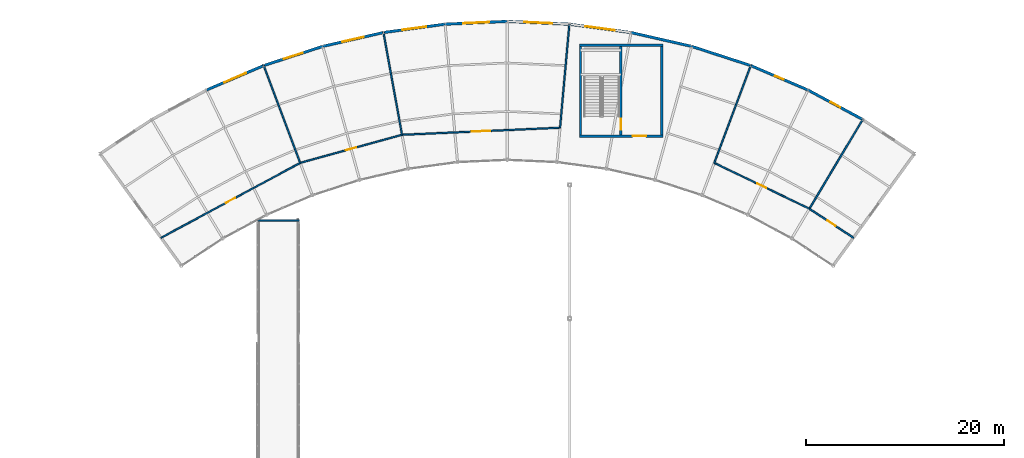
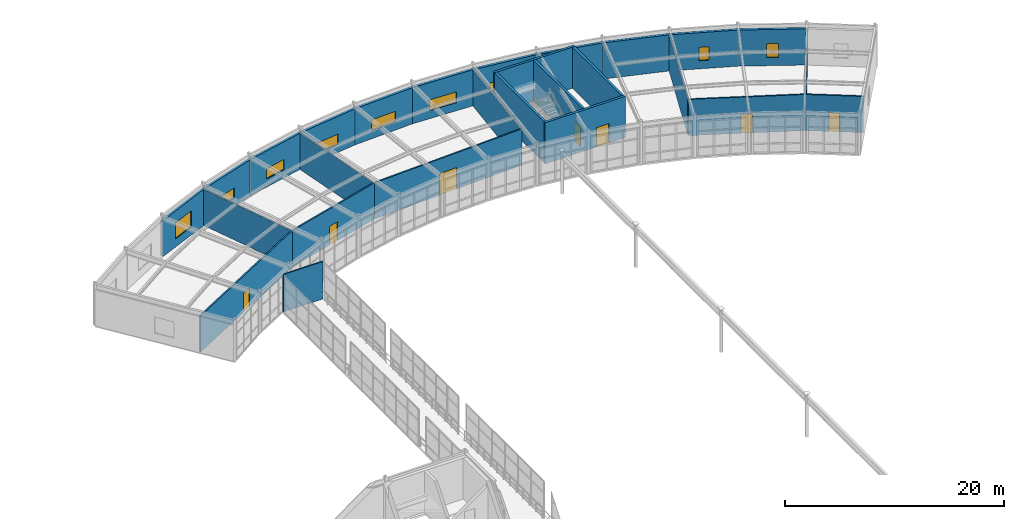
# One storey, part 99 of 116: 27 walls, 9 windows, 7 doors, 16 openings.
"""IFC4 building model written with IfcOpenShell, lengths in metres."""

from ifc_helpers import new_model, si_unit, direction, frame, frame_2d, origin, place, context, subcontext, project, spatial, rectangle, extrude, material, layer, layer_set, type_object, element, fill, save


model = new_model("IFC4")

# Units and contexts
model_context = context("Model", 3, precision=1e-05, world=origin(), true_north=direction((0.0, 1.0)))
body_context = subcontext(model_context, "Body", "Model", "MODEL_VIEW")
ifc_project = project(units=[si_unit("LENGTHUNIT", "METRE"), si_unit("AREAUNIT", "SQUARE_METRE"), si_unit("VOLUMEUNIT", "CUBIC_METRE"), si_unit("PLANEANGLEUNIT", "RADIAN"), si_unit("MASSUNIT", "GRAM", prefix="KILO")], contexts=[model_context])

# Site, building, storey
site_placement = place(None, origin())
site = spatial("IfcSite", under=ifc_project, at=site_placement, CompositionType="ELEMENT")
building_placement = place(site_placement, origin())
building = spatial("IfcBuilding", under=site, at=building_placement, Name="Selat Folded Stagehouse", CompositionType="ELEMENT")
storey_placement = place(building_placement, frame((0.0, 0.0, 5.39990234375)))
storey = spatial("IfcBuildingStorey", under=building, at=storey_placement, Name="L01", CompositionType="ELEMENT", Elevation=5.39990234375)

# Wall, opening, door
ifc_material_1 = material(Name="Concrete C50/60", Category="concrete")
ifc_layer_1 = layer(ifc_material_1, 0.25)
ifc_layer_set_1 = layer_set([ifc_layer_1], Name="Concrete C50/60")
wall_type_1 = type_object("IfcWallType", Name="WAL-CORE-250", PredefinedType="SHEAR", material=ifc_layer_set_1)
wall_1_placement = place(storey_placement, frame((108.125, 96.39990234375, 0.0), z_axis=(0.0, 0.0, 1.0), x_axis=(-1.0, 0.0, 0.0)))
wall_1 = element("IfcWall", 1, at=wall_1_placement, inside=storey, type_object=wall_type_1, Name="L01 CR-6 south shear wall", PredefinedType="SHEAR", context=body_context, shape_type="SweptSolid", body=[
    extrude(rectangle(XDim=8.449951171875, YDim=0.25, at=frame_2d((4.22509765625, 0.0))), origin(), (0.0, 0.0, 1.0), 4.580078125),
])
opening_1_placement = place(wall_1_placement, frame((1.699951171875, 0.0, 0.0)))
opening_1 = element("IfcOpeningElement", 2, at=opening_1_placement, cuts=wall_1, Name="Opening FD-60B", PredefinedType="OPENING", context=body_context, shape_type="SweptSolid", body=[
    extrude(rectangle(XDim=1.35009765625, YDim=2.14990234375, at=frame_2d((0.675048828125, 1.074951171875))), frame((0.0, 0.135009765625, 0.0), z_axis=(0.0, -1.0, 0.0), x_axis=(1.0, 0.0, 0.0)), (0.0, 0.0, 1.0), 0.27001953125),
])
ifc_material_2 = material(Name="Protected stair escape door", Category="wood")
door_type_1 = type_object("IfcDoorType", Name="DOR-STR-1350", OperationType="NOTDEFINED", PredefinedType="DOOR", material=ifc_material_2)
door_1_placement = place(opening_1_placement, origin())
door_1 = element("IfcDoor", 3, at=door_1_placement, inside=storey, type_object=door_type_1, Name="L01 CR-6 core lobby fire door", OperationType="SINGLE_SWING_RIGHT", OverallHeight=2.14990234375, OverallWidth=1.35009765625, PredefinedType="DOOR", context=body_context, shape_type="SweptSolid", body=[
    extrude(rectangle(XDim=1.35009765625, YDim=2.14990234375, at=frame_2d((0.675048828125, 1.074951171875))), frame((0.0, 0.02490234375, 0.0), z_axis=(0.0, -1.0, 0.0), x_axis=(1.0, 0.0, 0.0)), (0.0, 0.0, 1.0), 0.050048828125),
])
fill(opening_1, door_1)

# Walls
wall_2_placement = place(storey_placement, frame((99.675048828125, 105.60009765625, 0.0), z_axis=(0.0, 0.0, 1.0), x_axis=(1.0, 0.0, 0.0)))
element("IfcWall", 4, at=wall_2_placement, inside=storey, type_object=wall_type_1, Name="L01 CR-6 north shear wall", PredefinedType="SHEAR", context=body_context, shape_type="SweptSolid", body=[
    extrude(rectangle(XDim=8.449951171875, YDim=0.25, at=frame_2d((4.22509765625, 0.0))), origin(), (0.0, 0.0, 1.0), 4.580078125),
])
for number, where, z_axis, x_axis, name in (
    (5, (99.800048828125, 96.52490234375, 0.0), (0.0, 0.0, 1.0), (0.0, 1.0, 0.0), "L01 CR-6 west shear wall"),
    (6, (108.0, 105.47509765625, 0.0), (0.0, 0.0, 1.0), (0.0, -1.0, 0.0), "L01 CR-6 east shear wall"),
):
    element("IfcWall", number, at=place(storey_placement, frame(where, z_axis=z_axis, x_axis=x_axis)), inside=storey, type_object=wall_type_1, Name=name, PredefinedType="SHEAR", context=body_context, shape_type="SweptSolid", body=[
        extrude(rectangle(XDim=8.9501953125, YDim=0.25, at=frame_2d((4.47509765625, 0.0))), origin(), (0.0, 0.0, 1.0), 4.580078125),
    ])

# Wall, opening, door
wall_3_placement = place(storey_placement, frame((103.8798828125, 105.47509765625, 0.0), z_axis=(0.0, 0.0, 1.0), x_axis=(0.0, -1.0, 0.0)))
wall_3 = element("IfcWall", 7, at=wall_3_placement, inside=storey, type_object=wall_type_1, Name="L01 CR-6 internal core divider wall", PredefinedType="SHEAR", context=body_context, shape_type="SweptSolid", body=[
    extrude(rectangle(XDim=8.9501953125, YDim=0.25, at=frame_2d((4.47509765625, 0.0))), origin(), (0.0, 0.0, 1.0), 4.580078125),
])
opening_2_placement = place(wall_3_placement, frame((7.300048828125, 0.0, 0.0)))
opening_2 = element("IfcOpeningElement", 8, at=opening_2_placement, cuts=wall_3, Name="Opening FD-60", PredefinedType="OPENING", context=body_context, shape_type="SweptSolid", body=[
    extrude(rectangle(XDim=1.10009765625, YDim=2.14990234375, at=frame_2d((0.550048828125, 1.074951171875))), frame((0.0, 0.135009765625, 0.0), z_axis=(0.0, -1.0, 0.0), x_axis=(1.0, 0.0, 0.0)), (0.0, 0.0, 1.0), 0.27001953125),
])
ifc_material_3 = material(Name="Fire-rated timber core door", Category="wood")
door_type_2 = type_object("IfcDoorType", Name="DOR-FIRE-60", OperationType="NOTDEFINED", PredefinedType="DOOR", material=ifc_material_3)
door_2_placement = place(opening_2_placement, origin())
door_2 = element("IfcDoor", 9, at=door_2_placement, inside=storey, type_object=door_type_2, Name="L01 CR-6 protected stair fire door", OperationType="SINGLE_SWING_LEFT", OverallHeight=2.14990234375, OverallWidth=1.10009765625, PredefinedType="DOOR", context=body_context, shape_type="SweptSolid", body=[
    extrude(rectangle(XDim=1.10009765625, YDim=2.14990234375, at=frame_2d((0.550048828125, 1.074951171875))), frame((0.0, 0.02490234375, 0.0), z_axis=(0.0, -1.0, 0.0), x_axis=(1.0, 0.0, 0.0)), (0.0, 0.0, 1.0), 0.050048828125),
])
fill(opening_2, door_2)

# Wall, opening, window
ifc_material_4 = material(Name="Precast concrete C40/50", Category="concrete")
ifc_layer_2 = layer(ifc_material_4, 0.27490234375)
ifc_layer_set_2 = layer_set([ifc_layer_2], Name="Precast concrete C40/50")
wall_type_2 = type_object("IfcWallType", Name="WAL-EXT-275", PredefinedType="STANDARD", material=ifc_layer_set_2)
wall_4_placement = place(storey_placement, frame((62.028076171875, 101.06787109375, 0.0), z_axis=(0.0, 0.0, 1.0), x_axis=(0.919534614305, 0.393009024189, 0.0)))
wall_4 = element("IfcWall", 10, at=wall_4_placement, inside=storey, type_object=wall_type_2, Name="L01 exterior facade wall EW-L01-V6OUT-02", PredefinedType="STANDARD", context=body_context, shape_type="SweptSolid", body=[
    extrude(rectangle(XDim=6.281005859375, YDim=0.27490234375, at=frame_2d((3.140625, 0.0))), origin(), (0.0, 0.0, 1.0), 4.029052734375),
])
opening_3_placement = place(wall_4_placement, frame((1.940673828125, 0.0, 0.89990234375)))
opening_3 = element("IfcOpeningElement", 11, at=opening_3_placement, cuts=wall_4, Name="Opening WN-01", PredefinedType="OPENING", context=body_context, shape_type="SweptSolid", body=[
    extrude(rectangle(XDim=2.39990234375, YDim=1.800048828125, at=frame_2d((1.199951171875, 0.89990234375))), frame((0.0, 0.1474609375, 0.0), z_axis=(0.0, -1.0, 0.0), x_axis=(1.0, 0.0, 0.0)), (0.0, 0.0, 1.0), 0.294921875),
])
ifc_material_5 = material(Name="Thermally broken aluminium and acoustic low-E glass", Category="aluminium")
window_type_1 = type_object("IfcWindowType", Name="WIN-WK-2400x1800", PartitioningType="SINGLE_PANEL", PredefinedType="WINDOW", material=ifc_material_5)
window_1_placement = place(opening_3_placement, origin())
window_1 = element("IfcWindow", 12, at=window_1_placement, inside=storey, type_object=window_type_1, Name="L01 exterior window EW-L01-V6OUT-02-1", OverallHeight=1.800048828125, OverallWidth=2.39990234375, PartitioningType="SINGLE_PANEL", PredefinedType="WINDOW", context=body_context, shape_type="SweptSolid", body=[
    extrude(rectangle(XDim=2.39990234375, YDim=1.800048828125, at=frame_2d((1.199951171875, 0.89990234375))), frame((0.0, 0.030029296875, 0.0), z_axis=(0.0, -1.0, 0.0), x_axis=(1.0, 0.0, 0.0)), (0.0, 0.0, 1.0), 0.06005859375),
])
fill(opening_3, window_1)

wall_5_placement = place(storey_placement, frame((67.8037109375, 103.536376953125, 0.0), z_axis=(0.0, 0.0, 1.0), x_axis=(0.951058059905, 0.309012243593, 0.0)))
wall_5 = element("IfcWall", 13, at=wall_5_placement, inside=storey, type_object=wall_type_2, Name="L01 exterior facade wall EW-L01-V6OUT-03", PredefinedType="STANDARD", context=body_context, shape_type="SweptSolid", body=[
    extrude(rectangle(XDim=6.281005859375, YDim=0.27490234375, at=frame_2d((3.140625, 0.0))), origin(), (0.0, 0.0, 1.0), 4.029052734375),
])
opening_4_placement = place(wall_5_placement, frame((2.140380859375, 0.0, 0.89990234375)))
opening_4 = element("IfcOpeningElement", 14, at=opening_4_placement, cuts=wall_5, Name="Opening WN-14", PredefinedType="OPENING", context=body_context, shape_type="SweptSolid", body=[
    extrude(rectangle(XDim=2.0, YDim=1.10009765625, at=frame_2d((1.0, 0.550048828125))), frame((0.0, 0.1474609375, 0.0), z_axis=(0.0, -1.0, 0.0), x_axis=(1.0, 0.0, 0.0)), (0.0, 0.0, 1.0), 0.294921875),
])
window_type_2 = type_object("IfcWindowType", Name="WIN-CL-2000x1100", PartitioningType="SINGLE_PANEL", PredefinedType="WINDOW", material=ifc_material_5)
window_2_placement = place(opening_4_placement, origin())
window_2 = element("IfcWindow", 15, at=window_2_placement, inside=storey, type_object=window_type_2, Name="L01 exterior window EW-L01-V6OUT-03-1", OverallHeight=1.10009765625, OverallWidth=2.0, PartitioningType="SINGLE_PANEL", PredefinedType="WINDOW", context=body_context, shape_type="SweptSolid", body=[
    extrude(rectangle(XDim=2.0, YDim=1.10009765625, at=frame_2d((1.0, 0.550048828125))), frame((0.0, 0.030029296875, 0.0), z_axis=(0.0, -1.0, 0.0), x_axis=(1.0, 0.0, 0.0)), (0.0, 0.0, 1.0), 0.06005859375),
])
fill(opening_4, window_2)

wall_6_placement = place(storey_placement, frame((73.77734375, 105.477294921875, 0.0), z_axis=(0.0, 0.0, 1.0), x_axis=(0.974926249486, 0.222528218575, 0.0)))
wall_6 = element("IfcWall", 16, at=wall_6_placement, inside=storey, type_object=wall_type_2, Name="L01 exterior facade wall EW-L01-V6OUT-04", PredefinedType="STANDARD", context=body_context, shape_type="SweptSolid", body=[
    extrude(rectangle(XDim=6.281005859375, YDim=0.27490234375, at=frame_2d((3.140625, 0.0))), origin(), (0.0, 0.0, 1.0), 4.029052734375),
])
opening_5_placement = place(wall_6_placement, frame((2.04052734375, 0.0, 0.89990234375)))
opening_5 = element("IfcOpeningElement", 17, at=opening_5_placement, cuts=wall_6, Name="Opening WN-13", PredefinedType="OPENING", context=body_context, shape_type="SweptSolid", body=[
    extrude(rectangle(XDim=2.199951171875, YDim=1.14990234375, at=frame_2d((1.10009765625, 0.574951171875))), frame((0.0, 0.1474609375, 0.0), z_axis=(0.0, -1.0, 0.0), x_axis=(1.0, 0.0, 0.0)), (0.0, 0.0, 1.0), 0.294921875),
])
window_type_3 = type_object("IfcWindowType", Name="WIN-CL-2200x1150", PartitioningType="SINGLE_PANEL", PredefinedType="WINDOW", material=ifc_material_5)
window_3_placement = place(opening_5_placement, origin())
window_3 = element("IfcWindow", 18, at=window_3_placement, inside=storey, type_object=window_type_3, Name="L01 exterior window EW-L01-V6OUT-04-1", OverallHeight=1.14990234375, OverallWidth=2.199951171875, PartitioningType="SINGLE_PANEL", PredefinedType="WINDOW", context=body_context, shape_type="SweptSolid", body=[
    extrude(rectangle(XDim=2.199951171875, YDim=1.14990234375, at=frame_2d((1.10009765625, 0.574951171875))), frame((0.0, 0.030029296875, 0.0), z_axis=(0.0, -1.0, 0.0), x_axis=(1.0, 0.0, 0.0)), (0.0, 0.0, 1.0), 0.06005859375),
])
fill(opening_5, window_3)

wall_7_placement = place(storey_placement, frame((79.90087890625, 106.875, 0.0), z_axis=(0.0, 0.0, 1.0), x_axis=(0.990947344037, 0.134251113014, 0.0)))
wall_7 = element("IfcWall", 19, at=wall_7_placement, inside=storey, type_object=wall_type_2, Name="L01 exterior facade wall EW-L01-V6OUT-05", PredefinedType="STANDARD", context=body_context, shape_type="SweptSolid", body=[
    extrude(rectangle(XDim=6.28125, YDim=0.27490234375, at=frame_2d((3.140625, 0.0))), origin(), (0.0, 0.0, 1.0), 4.029052734375),
])
opening_6_placement = place(wall_7_placement, frame((1.9404296875, 0.0, 0.89990234375)))
opening_6 = element("IfcOpeningElement", 20, at=opening_6_placement, cuts=wall_7, Name="Opening WN-12", PredefinedType="OPENING", context=body_context, shape_type="SweptSolid", body=[
    extrude(rectangle(XDim=2.39990234375, YDim=1.14990234375, at=frame_2d((1.199951171875, 0.574951171875))), frame((0.0, 0.1474609375, 0.0), z_axis=(0.0, -1.0, 0.0), x_axis=(1.0, 0.0, 0.0)), (0.0, 0.0, 1.0), 0.294921875),
])
window_type_4 = type_object("IfcWindowType", Name="WIN-CL-2400x1150", PartitioningType="SINGLE_PANEL", PredefinedType="WINDOW", material=ifc_material_5)
window_4_placement = place(opening_6_placement, origin())
window_4 = element("IfcWindow", 21, at=window_4_placement, inside=storey, type_object=window_type_4, Name="L01 exterior window EW-L01-V6OUT-05-1", OverallHeight=1.14990234375, OverallWidth=2.39990234375, PartitioningType="SINGLE_PANEL", PredefinedType="WINDOW", context=body_context, shape_type="SweptSolid", body=[
    extrude(rectangle(XDim=2.39990234375, YDim=1.14990234375, at=frame_2d((1.199951171875, 0.574951171875))), frame((0.0, 0.030029296875, 0.0), z_axis=(0.0, -1.0, 0.0), x_axis=(1.0, 0.0, 0.0)), (0.0, 0.0, 1.0), 0.06005859375),
])
fill(opening_6, window_4)

wall_8_placement = place(storey_placement, frame((86.125244140625, 107.71826171875, 0.0), z_axis=(0.0, 0.0, 1.0), x_axis=(0.998993472837, 0.044855782563, 0.0)))
wall_8 = element("IfcWall", 22, at=wall_8_placement, inside=storey, type_object=wall_type_2, Name="L01 exterior facade wall EW-L01-V6OUT-06", PredefinedType="STANDARD", context=body_context, shape_type="SweptSolid", body=[
    extrude(rectangle(XDim=6.281005859375, YDim=0.27490234375, at=frame_2d((3.140625, 0.0))), origin(), (0.0, 0.0, 1.0), 4.029052734375),
])
opening_7_placement = place(wall_8_placement, frame((1.840576171875, 0.0, 0.89990234375)))
opening_7 = element("IfcOpeningElement", 23, at=opening_7_placement, cuts=wall_8, Name="Opening WN-11", PredefinedType="OPENING", context=body_context, shape_type="SweptSolid", body=[
    extrude(rectangle(XDim=2.60009765625, YDim=1.199951171875, at=frame_2d((1.300048828125, 0.60009765625))), frame((0.0, 0.1474609375, 0.0), z_axis=(0.0, -1.0, 0.0), x_axis=(1.0, 0.0, 0.0)), (0.0, 0.0, 1.0), 0.294921875),
])
window_type_5 = type_object("IfcWindowType", Name="WIN-CL-2600x1200", PartitioningType="SINGLE_PANEL", PredefinedType="WINDOW", material=ifc_material_5)
window_5_placement = place(opening_7_placement, origin())
window_5 = element("IfcWindow", 24, at=window_5_placement, inside=storey, type_object=window_type_5, Name="L01 exterior window EW-L01-V6OUT-06-1", OverallHeight=1.199951171875, OverallWidth=2.60009765625, PartitioningType="SINGLE_PANEL", PredefinedType="WINDOW", context=body_context, shape_type="SweptSolid", body=[
    extrude(rectangle(XDim=2.60009765625, YDim=1.199951171875, at=frame_2d((1.300048828125, 0.60009765625))), frame((0.0, 0.030029296875, 0.0), z_axis=(0.0, -1.0, 0.0), x_axis=(1.0, 0.0, 0.0)), (0.0, 0.0, 1.0), 0.06005859375),
])
fill(opening_7, window_5)

wall_9_placement = place(storey_placement, frame((92.39990234375, 108.0, 0.0), z_axis=(0.0, 0.0, 1.0), x_axis=(0.99899355104, -0.044854040849, 0.0)))
wall_9 = element("IfcWall", 25, at=wall_9_placement, inside=storey, type_object=wall_type_2, Name="L01 exterior facade wall EW-L01-V6OUT-07", PredefinedType="STANDARD", context=body_context, shape_type="SweptSolid", body=[
    extrude(rectangle(XDim=6.28125, YDim=0.27490234375, at=frame_2d((3.140625, 0.0))), origin(), (0.0, 0.0, 1.0), 4.029052734375),
])
opening_8_placement = place(wall_9_placement, frame((1.740478515625, 0.0, 0.89990234375)))
opening_8 = element("IfcOpeningElement", 26, at=opening_8_placement, cuts=wall_9, Name="Opening WN-10", PredefinedType="OPENING", context=body_context, shape_type="SweptSolid", body=[
    extrude(rectangle(XDim=2.800048828125, YDim=1.199951171875, at=frame_2d((1.39990234375, 0.60009765625))), frame((0.0, 0.1474609375, 0.0), z_axis=(0.0, -1.0, 0.0), x_axis=(1.0, 0.0, 0.0)), (0.0, 0.0, 1.0), 0.294921875),
])
window_type_6 = type_object("IfcWindowType", Name="WIN-CL-2800x1200", PartitioningType="SINGLE_PANEL", PredefinedType="WINDOW", material=ifc_material_5)
window_6_placement = place(opening_8_placement, origin())
window_6 = element("IfcWindow", 27, at=window_6_placement, inside=storey, type_object=window_type_6, Name="L01 exterior window EW-L01-V6OUT-07-1", OverallHeight=1.199951171875, OverallWidth=2.800048828125, PartitioningType="SINGLE_PANEL", PredefinedType="WINDOW", context=body_context, shape_type="SweptSolid", body=[
    extrude(rectangle(XDim=2.800048828125, YDim=1.199951171875, at=frame_2d((1.39990234375, 0.60009765625))), frame((0.0, 0.030029296875, 0.0), z_axis=(0.0, -1.0, 0.0), x_axis=(1.0, 0.0, 0.0)), (0.0, 0.0, 1.0), 0.06005859375),
])
fill(opening_8, window_6)

wall_10_placement = place(storey_placement, frame((98.6748046875, 107.71826171875, 0.0), z_axis=(0.0, 0.0, 1.0), x_axis=(0.990946643459, -0.134256284087, 0.0)))
wall_10 = element("IfcWall", 28, at=wall_10_placement, inside=storey, type_object=wall_type_2, Name="L01 exterior facade wall EW-L01-V6OUT-08", PredefinedType="STANDARD", context=body_context, shape_type="SweptSolid", body=[
    extrude(rectangle(XDim=6.281005859375, YDim=0.27490234375, at=frame_2d((3.140625, 0.0))), origin(), (0.0, 0.0, 1.0), 4.029052734375),
])
opening_9_placement = place(wall_10_placement, frame((1.640380859375, 0.0, 0.89990234375)))
opening_9 = element("IfcOpeningElement", 29, at=opening_9_placement, cuts=wall_10, Name="Opening WN-09", PredefinedType="OPENING", context=body_context, shape_type="SweptSolid", body=[
    extrude(rectangle(XDim=3.0, YDim=1.199951171875, at=frame_2d((1.5, 0.60009765625))), frame((0.0, 0.1474609375, 0.0), z_axis=(0.0, -1.0, 0.0), x_axis=(1.0, 0.0, 0.0)), (0.0, 0.0, 1.0), 0.294921875),
])
window_type_7 = type_object("IfcWindowType", Name="WIN-CL-3000x1200", PartitioningType="SINGLE_PANEL", PredefinedType="WINDOW", material=ifc_material_5)
window_7_placement = place(opening_9_placement, origin())
window_7 = element("IfcWindow", 30, at=window_7_placement, inside=storey, type_object=window_type_7, Name="L01 exterior window EW-L01-V6OUT-08-1", OverallHeight=1.199951171875, OverallWidth=3.0, PartitioningType="SINGLE_PANEL", PredefinedType="WINDOW", context=body_context, shape_type="SweptSolid", body=[
    extrude(rectangle(XDim=3.0, YDim=1.199951171875, at=frame_2d((1.5, 0.60009765625))), frame((0.0, 0.030029296875, 0.0), z_axis=(0.0, -1.0, 0.0), x_axis=(1.0, 0.0, 0.0)), (0.0, 0.0, 1.0), 0.06005859375),
])
fill(opening_9, window_7)

# Walls
wall_11_placement = place(storey_placement, frame((104.89892578125, 106.875, 0.0), z_axis=(0.0, 0.0, 1.0), x_axis=(0.974928174151, -0.22251978619, 0.0)))
element("IfcWall", 31, at=wall_11_placement, inside=storey, type_object=wall_type_2, Name="L01 exterior facade wall EW-L01-V6OUT-09", PredefinedType="STANDARD", context=body_context, shape_type="SweptSolid", body=[
    extrude(rectangle(XDim=6.28125, YDim=0.27490234375, at=frame_2d((3.140625, 0.0))), origin(), (0.0, 0.0, 1.0), 4.029052734375),
])
wall_12_placement = place(storey_placement, frame((111.022705078125, 105.477294921875, 0.0), z_axis=(0.0, 0.0, 1.0), x_axis=(0.951054348109, -0.309023667285, 0.0)))
element("IfcWall", 32, at=wall_12_placement, inside=storey, type_object=wall_type_2, Name="L01 exterior facade wall EW-L01-V6OUT-10", PredefinedType="STANDARD", context=body_context, shape_type="SweptSolid", body=[
    extrude(rectangle(XDim=6.28076171875, YDim=0.27490234375, at=frame_2d((3.140380859375, 0.0))), origin(), (0.0, 0.0, 1.0), 4.029052734375),
])

# Wall, opening, window
wall_13_placement = place(storey_placement, frame((116.99609375, 103.536376953125, 0.0), z_axis=(0.0, 0.0, 1.0), x_axis=(0.919540617607, -0.392994977793, 0.0)))
wall_13 = element("IfcWall", 33, at=wall_13_placement, inside=storey, type_object=wall_type_2, Name="L01 exterior facade wall EW-L01-V6OUT-11", PredefinedType="STANDARD", context=body_context, shape_type="SweptSolid", body=[
    extrude(rectangle(XDim=6.28125, YDim=0.27490234375, at=frame_2d((3.140625, 0.0))), origin(), (0.0, 0.0, 1.0), 4.029052734375),
])
opening_10_placement = place(wall_13_placement, frame((2.66552734375, 0.0, 0.89990234375)))
opening_10 = element("IfcOpeningElement", 34, at=opening_10_placement, cuts=wall_13, Name="Opening WN-26", PredefinedType="OPENING", context=body_context, shape_type="SweptSolid", body=[
    extrude(rectangle(XDim=0.949951171875, YDim=1.5, at=frame_2d((0.47509765625, 0.75))), frame((0.0, 0.1474609375, 0.0), z_axis=(0.0, -1.0, 0.0), x_axis=(1.0, 0.0, 0.0)), (0.0, 0.0, 1.0), 0.294921875),
])
window_type_8 = type_object("IfcWindowType", Name="WIN-DR-0950x1500", PartitioningType="SINGLE_PANEL", PredefinedType="WINDOW", material=ifc_material_5)
window_8_placement = place(opening_10_placement, origin())
window_8 = element("IfcWindow", 35, at=window_8_placement, inside=storey, type_object=window_type_8, Name="L01 exterior window EW-L01-V6OUT-11-1", OverallHeight=1.5, OverallWidth=0.949951171875, PartitioningType="SINGLE_PANEL", PredefinedType="WINDOW", context=body_context, shape_type="SweptSolid", body=[
    extrude(rectangle(XDim=0.949951171875, YDim=1.5, at=frame_2d((0.47509765625, 0.75))), frame((0.0, 0.030029296875, 0.0), z_axis=(0.0, -1.0, 0.0), x_axis=(1.0, 0.0, 0.0)), (0.0, 0.0, 1.0), 0.06005859375),
])
fill(opening_10, window_8)

wall_14_placement = place(storey_placement, frame((122.77197265625, 101.06787109375, 0.0), z_axis=(0.0, 0.0, 1.0), x_axis=(0.880582156138, -0.473893517883, 0.0)))
wall_14 = element("IfcWall", 36, at=wall_14_placement, inside=storey, type_object=wall_type_2, Name="L01 exterior facade wall EW-L01-V6OUT-12", PredefinedType="STANDARD", context=body_context, shape_type="SweptSolid", body=[
    extrude(rectangle(XDim=6.281005859375, YDim=0.27490234375, at=frame_2d((3.140625, 0.0))), origin(), (0.0, 0.0, 1.0), 4.029052734375),
])
opening_11_placement = place(wall_14_placement, frame((2.590576171875, 0.0, 0.89990234375)))
opening_11 = element("IfcOpeningElement", 37, at=opening_11_placement, cuts=wall_14, Name="Opening WN-25", PredefinedType="OPENING", context=body_context, shape_type="SweptSolid", body=[
    extrude(rectangle(XDim=1.10009765625, YDim=1.550048828125, at=frame_2d((0.550048828125, 0.77490234375))), frame((0.0, 0.1474609375, 0.0), z_axis=(0.0, -1.0, 0.0), x_axis=(1.0, 0.0, 0.0)), (0.0, 0.0, 1.0), 0.294921875),
])
window_type_9 = type_object("IfcWindowType", Name="WIN-DR-1100x1550", PartitioningType="SINGLE_PANEL", PredefinedType="WINDOW", material=ifc_material_5)
window_9_placement = place(opening_11_placement, origin())
window_9 = element("IfcWindow", 38, at=window_9_placement, inside=storey, type_object=window_type_9, Name="L01 exterior window EW-L01-V6OUT-12-1", OverallHeight=1.550048828125, OverallWidth=1.10009765625, PartitioningType="SINGLE_PANEL", PredefinedType="WINDOW", context=body_context, shape_type="SweptSolid", body=[
    extrude(rectangle(XDim=1.10009765625, YDim=1.550048828125, at=frame_2d((0.550048828125, 0.77490234375))), frame((0.0, 0.030029296875, 0.0), z_axis=(0.0, -1.0, 0.0), x_axis=(1.0, 0.0, 0.0)), (0.0, 0.0, 1.0), 0.06005859375),
])
fill(opening_11, window_9)

# Wall
ifc_material_6 = material(Name="Fire-rated drywall stud partition", Category="gypsum")
ifc_layer_3 = layer(ifc_material_6, 0.14990234375)
ifc_layer_set_3 = layer_set([ifc_layer_3], Name="Fire-rated drywall stud partition")
wall_type_3 = type_object("IfcWallType", Name="WAL-PART-150", PredefinedType="PARTITIONING", material=ifc_layer_set_3)
wall_15_placement = place(storey_placement, frame((67.199951171875, 87.89990234375, 0.0), z_axis=(0.0, 0.0, 1.0), x_axis=(1.0, 0.0, 0.0)))
element("IfcWall", 39, at=wall_15_placement, inside=storey, type_object=wall_type_3, Name="L01 interior partition wall 048", PredefinedType="PARTITIONING", context=body_context, shape_type="SweptSolid", body=[
    extrude(rectangle(XDim=4.199951171875, YDim=0.14990234375, at=frame_2d((2.10009765625, 0.0))), origin(), (0.0, 0.0, 1.0), 4.162109375),
])

# Wall, opening, door
wall_16_placement = place(storey_placement, frame((57.4267578125, 86.136474609375, 0.0), z_axis=(0.0, 0.0, 1.0), x_axis=(0.880592290025, 0.473874686757, 0.0)))
wall_16 = element("IfcWall", 40, at=wall_16_placement, inside=storey, type_object=wall_type_3, Name="L01 interior partition wall 057", PredefinedType="PARTITIONING", context=body_context, shape_type="SweptSolid", body=[
    extrude(rectangle(XDim=15.973876953125, YDim=0.14990234375, at=frame_2d((7.98681640625, 0.0))), origin(), (0.0, 0.0, 1.0), 4.029052734375),
])
opening_12_placement = place(wall_16_placement, frame((7.456787109375, 0.0, 0.0)))
opening_12 = element("IfcOpeningElement", 41, at=opening_12_placement, cuts=wall_16, Name="Opening ID-01A", PredefinedType="OPENING", context=body_context, shape_type="SweptSolid", body=[
    extrude(rectangle(XDim=1.06005859375, YDim=2.10009765625, at=frame_2d((0.530029296875, 1.050048828125))), frame((0.0, 0.0849609375, 0.0), z_axis=(0.0, -1.0, 0.0), x_axis=(1.0, 0.0, 0.0)), (0.0, 0.0, 1.0), 0.169921875),
])
ifc_material_7 = material(Name="Star dressing suite timber door", Category="wood")
door_type_3 = type_object("IfcDoorType", Name="DOR-DRS-1060", OperationType="NOTDEFINED", PredefinedType="DOOR", material=ifc_material_7)
door_3_placement = place(opening_12_placement, origin())
door_3 = element("IfcDoor", 42, at=door_3_placement, inside=storey, type_object=door_type_3, Name="L01 interior door IWAL-L01-057-1", OperationType="SINGLE_SWING_RIGHT", OverallHeight=2.10009765625, OverallWidth=1.06005859375, PredefinedType="DOOR", context=body_context, shape_type="SweptSolid", body=[
    extrude(rectangle(XDim=1.06005859375, YDim=2.10009765625, at=frame_2d((0.530029296875, 1.050048828125))), frame((0.0, 0.02490234375, 0.0), z_axis=(0.0, -1.0, 0.0), x_axis=(1.0, 0.0, 0.0)), (0.0, 0.0, 1.0), 0.050048828125),
])
fill(opening_12, door_3)

wall_17_placement = place(storey_placement, frame((71.4931640625, 93.7060546875, 0.0), z_axis=(0.0, 0.0, 1.0), x_axis=(0.963967728777, 0.26601920584, 0.0)))
wall_17 = element("IfcWall", 43, at=wall_17_placement, inside=storey, type_object=wall_type_3, Name="L01 interior partition wall 058", PredefinedType="PARTITIONING", context=body_context, shape_type="SweptSolid", body=[
    extrude(rectangle(XDim=10.6669921875, YDim=0.14990234375, at=frame_2d((5.33349609375, 0.0))), origin(), (0.0, 0.0, 1.0), 4.029052734375),
])
opening_13_placement = place(wall_17_placement, frame((4.8037109375, 0.0, 0.0)))
opening_13 = element("IfcOpeningElement", 44, at=opening_13_placement, cuts=wall_17, Name="Opening ID-01A", PredefinedType="OPENING", context=body_context, shape_type="SweptSolid", body=[
    extrude(rectangle(XDim=1.06005859375, YDim=2.10009765625, at=frame_2d((0.530029296875, 1.050048828125))), frame((0.0, 0.0849609375, 0.0), z_axis=(0.0, -1.0, 0.0), x_axis=(1.0, 0.0, 0.0)), (0.0, 0.0, 1.0), 0.169921875),
])
door_4_placement = place(opening_13_placement, origin())
door_4 = element("IfcDoor", 45, at=door_4_placement, inside=storey, type_object=door_type_3, Name="L01 interior door IWAL-L01-058-1", OperationType="SINGLE_SWING_LEFT", OverallHeight=2.10009765625, OverallWidth=1.06005859375, PredefinedType="DOOR", context=body_context, shape_type="SweptSolid", body=[
    extrude(rectangle(XDim=1.06005859375, YDim=2.10009765625, at=frame_2d((0.530029296875, 1.050048828125))), frame((0.0, 0.02490234375, 0.0), z_axis=(0.0, -1.0, 0.0), x_axis=(1.0, 0.0, 0.0)), (0.0, 0.0, 1.0), 0.050048828125),
])
fill(opening_13, door_4)

wall_18_placement = place(storey_placement, frame((81.77587890625, 96.543701171875, 0.0), z_axis=(0.0, 0.0, 1.0), x_axis=(0.998992662888, 0.044873817482, 0.0)))
wall_18 = element("IfcWall", 46, at=wall_18_placement, inside=storey, type_object=wall_type_3, Name="L01 interior partition wall 059", PredefinedType="PARTITIONING", context=body_context, shape_type="SweptSolid", body=[
    extrude(rectangle(XDim=15.9736328125, YDim=0.14990234375, at=frame_2d((7.98681640625, 0.0))), origin(), (0.0, 0.0, 1.0), 4.029052734375),
])
opening_14_placement = place(wall_18_placement, frame((7.061767578125, 0.0, 0.0)))
opening_14 = element("IfcOpeningElement", 47, at=opening_14_placement, cuts=wall_18, Name="Opening WD-02", PredefinedType="OPENING", context=body_context, shape_type="SweptSolid", body=[
    extrude(rectangle(XDim=1.85009765625, YDim=2.39990234375, at=frame_2d((0.925048828125, 1.199951171875))), frame((0.0, 0.0849609375, 0.0), z_axis=(0.0, -1.0, 0.0), x_axis=(1.0, 0.0, 0.0)), (0.0, 0.0, 1.0), 0.169921875),
])
ifc_material_8 = material(Name="Wardrobe and props double door", Category="wood")
door_type_4 = type_object("IfcDoorType", Name="DOR-WK-1850", OperationType="NOTDEFINED", PredefinedType="DOOR", material=ifc_material_8)
door_5_placement = place(opening_14_placement, origin())
door_5 = element("IfcDoor", 48, at=door_5_placement, inside=storey, type_object=door_type_4, Name="L01 interior door IWAL-L01-059-1", OperationType="SINGLE_SWING_RIGHT", OverallHeight=2.39990234375, OverallWidth=1.85009765625, PredefinedType="DOOR", context=body_context, shape_type="SweptSolid", body=[
    extrude(rectangle(XDim=1.85009765625, YDim=2.39990234375, at=frame_2d((0.925048828125, 1.199951171875))), frame((0.0, 0.02490234375, 0.0), z_axis=(0.0, -1.0, 0.0), x_axis=(1.0, 0.0, 0.0)), (0.0, 0.0, 1.0), 0.050048828125),
])
fill(opening_14, door_5)

wall_19_placement = place(storey_placement, frame((113.306884765625, 93.7060546875, 0.0), z_axis=(0.0, 0.0, 1.0), x_axis=(0.900961574772, -0.433898883133, 0.0)))
wall_19 = element("IfcWall", 49, at=wall_19_placement, inside=storey, type_object=wall_type_3, Name="L01 interior partition wall 060", PredefinedType="PARTITIONING", context=body_context, shape_type="SweptSolid", body=[
    extrude(rectangle(XDim=10.6669921875, YDim=0.14990234375, at=frame_2d((5.33349609375, 0.0))), origin(), (0.0, 0.0, 1.0), 4.029052734375),
])
opening_15_placement = place(wall_19_placement, frame((4.823486328125, 0.0, 0.0)))
opening_15 = element("IfcOpeningElement", 50, at=opening_15_placement, cuts=wall_19, Name="Opening ID-01", PredefinedType="OPENING", context=body_context, shape_type="SweptSolid", body=[
    extrude(rectangle(XDim=1.02001953125, YDim=2.10009765625, at=frame_2d((0.510009765625, 1.050048828125))), frame((0.0, 0.0849609375, 0.0), z_axis=(0.0, -1.0, 0.0), x_axis=(1.0, 0.0, 0.0)), (0.0, 0.0, 1.0), 0.169921875),
])
ifc_material_9 = material(Name="Performers dressing suite door", Category="wood")
door_type_5 = type_object("IfcDoorType", Name="DOR-DRS-1020", OperationType="NOTDEFINED", PredefinedType="DOOR", material=ifc_material_9)
door_6_placement = place(opening_15_placement, origin())
door_6 = element("IfcDoor", 51, at=door_6_placement, inside=storey, type_object=door_type_5, Name="L01 interior door IWAL-L01-060-1", OperationType="SINGLE_SWING_LEFT", OverallHeight=2.10009765625, OverallWidth=1.02001953125, PredefinedType="DOOR", context=body_context, shape_type="SweptSolid", body=[
    extrude(rectangle(XDim=1.02001953125, YDim=2.10009765625, at=frame_2d((0.510009765625, 1.050048828125))), frame((0.0, 0.02490234375, 0.0), z_axis=(0.0, -1.0, 0.0), x_axis=(1.0, 0.0, 0.0)), (0.0, 0.0, 1.0), 0.050048828125),
])
fill(opening_15, door_6)

# Walls
wall_20_placement = place(storey_placement, frame((71.4931640625, 93.7060546875, 0.0), z_axis=(0.0, 0.0, 1.0), x_axis=(-0.351380790413, 0.936232631416, 0.0)))
element("IfcWall", 52, at=wall_20_placement, inside=storey, type_object=wall_type_3, Name="L01 interior partition wall 062", PredefinedType="PARTITIONING", context=body_context, shape_type="SweptSolid", body=[
    extrude(rectangle(XDim=10.499755859375, YDim=0.14990234375, at=frame_2d((5.25, 0.0))), origin(), (0.0, 0.0, 1.0), 4.029052734375),
])
for number, where, z_axis, x_axis, name in (
    (53, (81.77587890625, 96.543701171875, 0.0), (0.0, 0.0, 1.0), (-0.178570326803, 0.983927150954, 0.0), "L01 interior partition wall 063"),
    (54, (97.7333984375, 97.260498046875, 0.0), (0.0, 0.0, 1.0), (0.089657304348, 0.995972674212, 0.0), "L01 interior partition wall 064"),
):
    element("IfcWall", number, at=place(storey_placement, frame(where, z_axis=z_axis, x_axis=x_axis)), inside=storey, type_object=wall_type_3, Name=name, PredefinedType="PARTITIONING", context=body_context, shape_type="SweptSolid", body=[
        extrude(rectangle(XDim=10.5, YDim=0.14990234375, at=frame_2d((5.25, 0.0))), origin(), (0.0, 0.0, 1.0), 4.029052734375),
    ])
wall_21_placement = place(storey_placement, frame((113.306884765625, 93.7060546875, 0.0), z_axis=(0.0, 0.0, 1.0), x_axis=(0.351360409251, 0.93624028049, 0.0)))
element("IfcWall", 55, at=wall_21_placement, inside=storey, type_object=wall_type_3, Name="L01 interior partition wall 065", PredefinedType="PARTITIONING", context=body_context, shape_type="SweptSolid", body=[
    extrude(rectangle(XDim=10.499755859375, YDim=0.14990234375, at=frame_2d((5.25, 0.0))), origin(), (0.0, 0.0, 1.0), 4.029052734375),
])

# Wall, opening, door
ifc_material_10 = material(Name="Moisture-resistant sanitary service wall", Category="gypsum")
ifc_layer_4 = layer(ifc_material_10, 0.159912109375)
ifc_layer_set_4 = layer_set([ifc_layer_4], Name="Moisture-resistant sanitary service wall")
wall_type_4 = type_object("IfcWallType", Name="WAL-PLMB-160", PredefinedType="PLUMBINGWALL", material=ifc_layer_set_4)
wall_22_placement = place(storey_placement, frame((122.91748046875, 89.07763671875, 0.0), z_axis=(0.0, 0.0, 1.0), x_axis=(0.834581234797, -0.550884890449, 0.0)))
wall_22 = element("IfcWall", 56, at=wall_22_placement, inside=storey, type_object=wall_type_4, Name="L01 interior partition wall 061", PredefinedType="PLUMBINGWALL", context=body_context, shape_type="SweptSolid", body=[
    extrude(rectangle(XDim=5.3388671875, YDim=0.159912109375, at=frame_2d((2.66943359375, 0.0))), origin(), (0.0, 0.0, 1.0), 4.029052734375),
])
opening_16_placement = place(wall_22_placement, frame((2.194580078125, 0.0, 0.0)))
opening_16 = element("IfcOpeningElement", 57, at=opening_16_placement, cuts=wall_22, Name="Opening ID-04", PredefinedType="OPENING", context=body_context, shape_type="SweptSolid", body=[
    extrude(rectangle(XDim=0.949951171875, YDim=2.10009765625, at=frame_2d((0.47509765625, 1.050048828125))), frame((0.0, 0.08984375, 0.0), z_axis=(0.0, -1.0, 0.0), x_axis=(1.0, 0.0, 0.0)), (0.0, 0.0, 1.0), 0.179931640625),
])
ifc_material_11 = material(Name="Accessible toilet outward-opening door", Category="wood")
door_type_6 = type_object("IfcDoorType", Name="DOR-WC-0950", OperationType="NOTDEFINED", PredefinedType="DOOR", material=ifc_material_11)
door_7_placement = place(opening_16_placement, origin())
door_7 = element("IfcDoor", 58, at=door_7_placement, inside=storey, type_object=door_type_6, Name="L01 interior door IWAL-L01-061-1", OperationType="SINGLE_SWING_RIGHT", OverallHeight=2.10009765625, OverallWidth=0.949951171875, PredefinedType="DOOR", context=body_context, shape_type="SweptSolid", body=[
    extrude(rectangle(XDim=0.949951171875, YDim=2.10009765625, at=frame_2d((0.47509765625, 1.050048828125))), frame((0.0, 0.02490234375, 0.0), z_axis=(0.0, -1.0, 0.0), x_axis=(1.0, 0.0, 0.0)), (0.0, 0.0, 1.0), 0.050048828125),
])
fill(opening_16, door_7)

# Wall
wall_23_placement = place(storey_placement, frame((122.91748046875, 89.07763671875, 0.0), z_axis=(0.0, 0.0, 1.0), x_axis=(0.512904878558, 0.858445447045, 0.0)))
element("IfcWall", 59, at=wall_23_placement, inside=storey, type_object=wall_type_4, Name="L01 interior partition wall 066", PredefinedType="PLUMBINGWALL", context=body_context, shape_type="SweptSolid", body=[
    extrude(rectangle(XDim=10.5, YDim=0.159912109375, at=frame_2d((5.25, 0.0))), origin(), (0.0, 0.0, 1.0), 4.029052734375),
])

save(model, "model.ifc")
